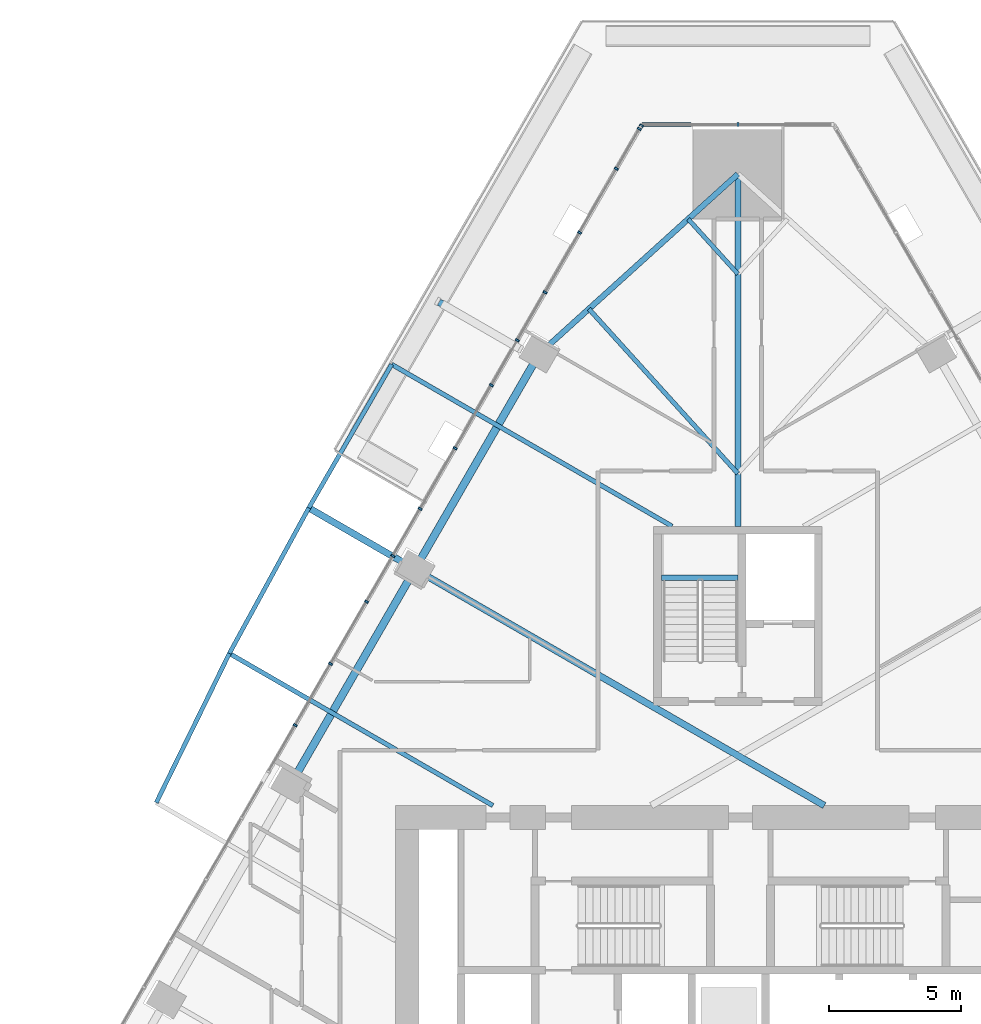
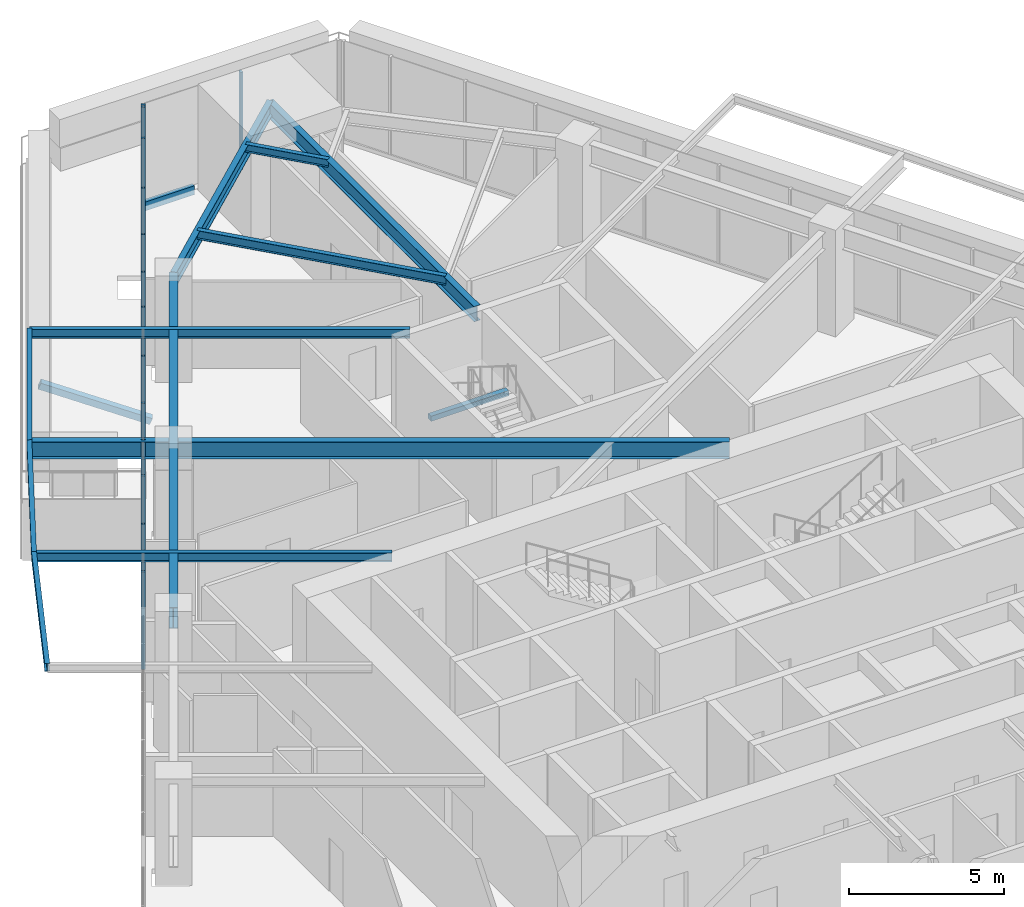
# One storey, part 8 of 29: 16 members, 12 beams, 2 elements without a shape of their own.
"""IFC4 building model written with IfcOpenShell, lengths in metres."""

from ifc_helpers import new_model, si_unit, direction, frame, origin, origin_2d, place, context, subcontext, project, spatial, rectangle, hollow_rectangle, i_section, extrude, material, layer, layer_set, material_profile, profile_set, type_object, element, aggregate, save


model = new_model("IFC4")

# Units and contexts
model_context = context("Model", 3, precision=1e-05, world=origin(), true_north=direction((0.0, 1.0)))
body_context = subcontext(model_context, "Body", "Model", "MODEL_VIEW")
ifc_project = project(units=[si_unit("LENGTHUNIT", "METRE"), si_unit("AREAUNIT", "SQUARE_METRE"), si_unit("VOLUMEUNIT", "CUBIC_METRE"), si_unit("PLANEANGLEUNIT", "RADIAN"), si_unit("MASSUNIT", "GRAM", prefix="KILO")], contexts=[model_context])

# Site, building, storey
site_placement = place(None, origin())
site = spatial("IfcSite", under=ifc_project, at=site_placement, CompositionType="ELEMENT")
building_placement = place(site_placement, origin())
building = spatial("IfcBuilding", under=site, at=building_placement, Name="Firuza Gate Tower and Library", CompositionType="ELEMENT")
storey_placement = place(building_placement, frame((0.0, 0.0, 82.0)))
storey = spatial("IfcBuildingStorey", under=building, at=storey_placement, Name="L18", CompositionType="ELEMENT", Elevation=82.0)

# Curtain wall, member
ifc_material_1 = material(Name="Aluminium 6063-T6", Category="aluminium")
ifc_layer_1 = layer(ifc_material_1, 0.14990234375)
ifc_layer_set_1 = layer_set([ifc_layer_1], Name="Corner curtain wall, chamfers")
curtain_wall_type_1 = type_object("IfcCurtainWallType", Name="Corner curtain wall, chamfers", PredefinedType="NOTDEFINED", material=ifc_layer_set_1)
placement = place(storey_placement, origin())
curtain_wall_1 = element("IfcCurtainWall", 1, at=placement, inside=storey, type_object=curtain_wall_type_1, Name="CW4 L18 N corner", PredefinedType="NOTDEFINED")
ifc_material_2 = material(Name="Aluminium 6063-T6", Category="aluminium")
ifc_material_profile_1 = material_profile(ifc_material_2, rectangle(XDim=0.14990234375, YDim=0.080078125, at=origin_2d()))
ifc_profile_set_1 = profile_set([ifc_material_profile_1], Name="Aluminium 6063-T6")
member_type_1 = type_object("IfcMemberType", Name="Curtain wall mullion 80x150", PredefinedType="MULLION", material=ifc_profile_set_1)
member_1_placement = place(storey_placement, frame((75.0, 109.84130859375, 0.14990234375), z_axis=(0.0, 0.0, 1.0), x_axis=(0.0, -1.0, 0.0)))
member_1 = element("IfcMember", 2, at=member_1_placement, type_object=member_type_1, Name="Mullion", PredefinedType="MULLION", context=body_context, shape_type="SweptSolid", body=[
    extrude(rectangle(XDim=0.14990234375, YDim=0.080078125, at=origin_2d()), origin(), (0.0, 0.0, 1.0), 3.85009765625),
])

# Curtain wall, members
ifc_material_3 = material(Name="Aluminium 6063-T6", Category="aluminium")
ifc_layer_2 = layer(ifc_material_3, 0.14990234375)
ifc_layer_set_2 = layer_set([ifc_layer_2], Name="Unitised curtain wall, offices")
curtain_wall_type_2 = type_object("IfcCurtainWallType", Name="Unitised curtain wall, offices", PredefinedType="NOTDEFINED", material=ifc_layer_set_2)
curtain_wall_2 = element("IfcCurtainWall", 3, at=placement, inside=storey, type_object=curtain_wall_type_2, Name="CW1 L18 W face", PredefinedType="NOTDEFINED")
member_2_placement = place(storey_placement, frame((71.336669921875, 109.806640625, 0.14990234375), z_axis=(0.0, 0.0, 1.0), x_axis=(0.866025403784, -0.5, 0.0)))
member_2 = element("IfcMember", 4, at=member_2_placement, type_object=member_type_1, Name="Mullion", PredefinedType="MULLION", context=body_context, shape_type="SweptSolid", body=[
    extrude(rectangle(XDim=0.14990234375, YDim=0.080078125, at=origin_2d()), origin(), (0.0, 0.0, 1.0), 3.85009765625),
])
member_3_placement = place(storey_placement, frame((68.994140625, 105.7490234375, 0.14990234375), z_axis=(0.0, 0.0, 1.0), x_axis=(0.866025403784, -0.5, 0.0)))
member_3 = element("IfcMember", 5, at=member_3_placement, type_object=member_type_1, Name="Mullion", PredefinedType="MULLION", context=body_context, shape_type="SweptSolid", body=[
    extrude(rectangle(XDim=0.14990234375, YDim=0.080078125, at=origin_2d()), origin(), (0.0, 0.0, 1.0), 3.85009765625),
])
member_4_placement = place(storey_placement, frame((66.63134765625, 101.65673828125, 0.14990234375), z_axis=(0.0, 0.0, 1.0), x_axis=(0.866025403784, -0.5, 0.0)))
member_4 = element("IfcMember", 6, at=member_4_placement, type_object=member_type_1, Name="Mullion", PredefinedType="MULLION", context=body_context, shape_type="SweptSolid", body=[
    extrude(rectangle(XDim=0.14990234375, YDim=0.080078125, at=origin_2d()), origin(), (0.0, 0.0, 1.0), 3.85009765625),
])
member_5_placement = place(storey_placement, frame((64.268798828125, 97.564453125, 0.14990234375), z_axis=(0.0, 0.0, 1.0), x_axis=(0.866025403784, -0.5, 0.0)))
member_5 = element("IfcMember", 7, at=member_5_placement, type_object=member_type_1, Name="Mullion", PredefinedType="MULLION", context=body_context, shape_type="SweptSolid", body=[
    extrude(rectangle(XDim=0.14990234375, YDim=0.080078125, at=origin_2d()), origin(), (0.0, 0.0, 1.0), 3.85009765625),
])
member_6_placement = place(storey_placement, frame((61.906005859375, 93.472412109375, 0.14990234375), z_axis=(0.0, 0.0, 1.0), x_axis=(0.866025403784, -0.5, 0.0)))
member_6 = element("IfcMember", 8, at=member_6_placement, type_object=member_type_1, Name="Mullion", PredefinedType="MULLION", context=body_context, shape_type="SweptSolid", body=[
    extrude(rectangle(XDim=0.14990234375, YDim=0.080078125, at=origin_2d()), origin(), (0.0, 0.0, 1.0), 3.85009765625),
])
member_7_placement = place(storey_placement, frame((59.54345703125, 89.380126953125, 0.14990234375), z_axis=(0.0, 0.0, 1.0), x_axis=(0.866025403784, -0.5, 0.0)))
member_7 = element("IfcMember", 9, at=member_7_placement, type_object=member_type_1, Name="Mullion", PredefinedType="MULLION", context=body_context, shape_type="SweptSolid", body=[
    extrude(rectangle(XDim=0.14990234375, YDim=0.080078125, at=origin_2d()), origin(), (0.0, 0.0, 1.0), 3.85009765625),
])
member_8_placement = place(storey_placement, frame((71.264892578125, 109.68212890625, 0.14990234375), z_axis=(0.0, 0.0, 1.0), x_axis=(0.866025403784, -0.5, 0.0)))
member_8 = element("IfcMember", 10, at=member_8_placement, type_object=member_type_1, Name="Mullion", PredefinedType="MULLION", context=body_context, shape_type="SweptSolid", body=[
    extrude(rectangle(XDim=0.14990234375, YDim=0.080078125, at=origin_2d()), origin(), (0.0, 0.0, 1.0), 3.85009765625),
])
member_9_placement = place(storey_placement, frame((70.39013671875, 108.1669921875, 0.14990234375), z_axis=(0.0, 0.0, 1.0), x_axis=(0.866025403784, -0.5, 0.0)))
member_9 = element("IfcMember", 11, at=member_9_placement, type_object=member_type_1, Name="Mullion", PredefinedType="MULLION", context=body_context, shape_type="SweptSolid", body=[
    extrude(rectangle(XDim=0.14990234375, YDim=0.080078125, at=origin_2d()), origin(), (0.0, 0.0, 1.0), 3.85009765625),
])
member_10_placement = place(storey_placement, frame((67.684814453125, 103.481201171875, 0.14990234375), z_axis=(0.0, 0.0, 1.0), x_axis=(0.866025403784, -0.5, 0.0)))
member_10 = element("IfcMember", 12, at=member_10_placement, type_object=member_type_1, Name="Mullion", PredefinedType="MULLION", context=body_context, shape_type="SweptSolid", body=[
    extrude(rectangle(XDim=0.14990234375, YDim=0.080078125, at=origin_2d()), origin(), (0.0, 0.0, 1.0), 3.85009765625),
])
member_11_placement = place(storey_placement, frame((65.6474609375, 99.95263671875, 0.14990234375), z_axis=(0.0, 0.0, 1.0), x_axis=(0.866025403784, -0.5, 0.0)))
member_11 = element("IfcMember", 13, at=member_11_placement, type_object=member_type_1, Name="Mullion", PredefinedType="MULLION", context=body_context, shape_type="SweptSolid", body=[
    extrude(rectangle(XDim=0.14990234375, YDim=0.080078125, at=origin_2d()), origin(), (0.0, 0.0, 1.0), 3.85009765625),
])
member_12_placement = place(storey_placement, frame((62.942138671875, 95.266845703125, 0.14990234375), z_axis=(0.0, 0.0, 1.0), x_axis=(0.866025403784, -0.5, 0.0)))
member_12 = element("IfcMember", 14, at=member_12_placement, type_object=member_type_1, Name="Mullion", PredefinedType="MULLION", context=body_context, shape_type="SweptSolid", body=[
    extrude(rectangle(XDim=0.14990234375, YDim=0.080078125, at=origin_2d()), origin(), (0.0, 0.0, 1.0), 3.85009765625),
])
member_13_placement = place(storey_placement, frame((60.90478515625, 91.738037109375, 0.14990234375), z_axis=(0.0, 0.0, 1.0), x_axis=(0.866025403784, -0.5, 0.0)))
member_13 = element("IfcMember", 15, at=member_13_placement, type_object=member_type_1, Name="Mullion", PredefinedType="MULLION", context=body_context, shape_type="SweptSolid", body=[
    extrude(rectangle(XDim=0.14990234375, YDim=0.080078125, at=origin_2d()), origin(), (0.0, 0.0, 1.0), 3.85009765625),
])
member_14_placement = place(storey_placement, frame((58.199462890625, 87.05224609375, 0.14990234375), z_axis=(0.0, 0.0, 1.0), x_axis=(0.866025403784, -0.5, 0.0)))
member_14 = element("IfcMember", 16, at=member_14_placement, type_object=member_type_1, Name="Mullion", PredefinedType="MULLION", context=body_context, shape_type="SweptSolid", body=[
    extrude(rectangle(XDim=0.14990234375, YDim=0.080078125, at=origin_2d()), origin(), (0.0, 0.0, 1.0), 3.85009765625),
])
aggregate(curtain_wall_2, [member_2, member_3, member_4, member_5, member_6, member_7, member_8, member_9, member_10, member_11, member_12, member_13, member_14])

# Member
ifc_material_4 = material(Name="Aluminium 6063-T6", Category="aluminium")
ifc_material_profile_2 = material_profile(ifc_material_4, rectangle(XDim=0.14990234375, YDim=0.35009765625, at=origin_2d()))
ifc_profile_set_2 = profile_set([ifc_material_profile_2], Name="Aluminium 6063-T6")
member_type_2 = type_object("IfcMemberType", Name="Curtain wall transom 350x150", PredefinedType="USERDEFINED", material=ifc_profile_set_2)
member_15_placement = place(storey_placement, frame((73.22021484375, 109.84130859375, -0.02490234375), z_axis=(-1.0, 0.0, 0.0), x_axis=(0.0, -1.0, 0.0)))
member_15 = element("IfcMember", 17, at=member_15_placement, type_object=member_type_2, Name="Transom", ObjectType="TRANSOM", PredefinedType="USERDEFINED", context=body_context, shape_type="SweptSolid", body=[
    extrude(rectangle(XDim=0.14990234375, YDim=0.35009765625, at=origin_2d()), origin(), (0.0, 0.0, 1.0), 1.863525390625),
])

aggregate(curtain_wall_1, [member_1, member_15])

ifc_material_5 = material(Name="Steel S355", Category="steel")
ifc_material_profile_3 = material_profile(ifc_material_5, hollow_rectangle(XDim=0.25390625, YDim=0.25390625, WallThickness=0.01171875, at=origin_2d()))
ifc_profile_set_3 = profile_set([ifc_material_profile_3], Name="Steel S355")
member_type_3 = type_object("IfcMemberType", Name="HSS254x254x13 Tray strut", PredefinedType="BRACE", material=ifc_profile_set_3)
member_16_placement = place(storey_placement, frame((66.73681640625, 101.32958984375, -1.669921875), z_axis=(-0.807140949077, 0.466018027999, 0.362423351763), x_axis=(-0.500012057535, -0.866018442252, 0.0)))
element("IfcMember", 18, at=member_16_placement, inside=storey, type_object=member_type_3, Name="Tray strut L18 col:L17:W1", PredefinedType="BRACE", context=body_context, shape_type="SweptSolid", body=[
    extrude(hollow_rectangle(XDim=0.25390625, YDim=0.25390625, WallThickness=0.01171875, at=origin_2d()), origin(), (0.0, 0.0, 1.0), 3.862548828125),
])

# Beams
ifc_material_6 = material(Name="Concrete C35/45", Category="concrete")
ifc_material_profile_4 = material_profile(ifc_material_6, rectangle(XDim=0.199951171875, YDim=0.199951171875, at=origin_2d()))
ifc_profile_set_4 = profile_set([ifc_material_profile_4], Name="Concrete C35/45")
beam_type_1 = type_object("IfcBeamType", Name="Stair landing bearer 200x200", PredefinedType="BEAM", material=ifc_profile_set_4)
beam_1_placement = place(storey_placement, frame((75.0, 92.64990234375, 1.800048828125), z_axis=(-1.0, 0.0, 0.0), x_axis=(0.0, -1.0, 0.0)))
element("IfcBeam", 19, at=beam_1_placement, inside=storey, type_object=beam_type_1, Name="Landing bearer L18 stair 3", PredefinedType="BEAM", context=body_context, shape_type="SweptSolid", body=[
    extrude(rectangle(XDim=0.199951171875, YDim=0.199951171875, at=origin_2d()), origin(), (0.0, 0.0, 1.0), 2.89990234375),
])
ifc_material_7 = material(Name="Steel S355", Category="steel")
ifc_material_profile_5 = material_profile(ifc_material_7, i_section(OverallWidth=0.1650390625, OverallDepth=0.31005859375, WebThickness=0.005859375, FlangeThickness=0.009765625, at=origin_2d()))
ifc_profile_set_5 = profile_set([ifc_material_profile_5], Name="Steel S355")
beam_type_2 = type_object("IfcBeamType", Name="W310x39 Floor beam", PredefinedType="JOIST", material=ifc_profile_set_5)
beam_2_placement = place(storey_placement, frame((73.115234375, 106.2607421875, 3.844970703125), z_axis=(0.670983871645, -0.741471944171, 0.0), x_axis=(0.741471944171, 0.670983871645, 0.0)))
element("IfcBeam", 20, at=beam_2_placement, inside=storey, type_object=beam_type_2, Name="Floor beam L18 s70", PredefinedType="JOIST", context=body_context, shape_type="SweptSolid", body=[
    extrude(i_section(OverallWidth=0.1650390625, OverallDepth=0.31005859375, WebThickness=0.005859375, FlangeThickness=0.009765625, at=origin_2d()), origin(), (0.0, 0.0, 1.0), 2.808837890625),
])
beam_3_placement = place(storey_placement, frame((61.861572265625, 100.745361328125, 3.844970703125), z_axis=(-0.49998337224, -0.866035003613, 0.0), x_axis=(0.866035003613, -0.49998337224, 0.0)))
element("IfcBeam", 21, at=beam_3_placement, inside=storey, type_object=beam_type_2, Name="Tray edge beam L18 s80-s81", PredefinedType="JOIST", context=body_context, shape_type="SweptSolid", body=[
    extrude(i_section(OverallWidth=0.1650390625, OverallDepth=0.31005859375, WebThickness=0.005859375, FlangeThickness=0.009765625, at=origin_2d()), origin(), (0.0, 0.0, 1.0), 6.290771484375),
])
beam_4_placement = place(storey_placement, frame((58.71630859375, 95.29736328125, 3.844970703125), z_axis=(-0.479110348112, -0.877754677762, 0.0), x_axis=(0.877754677762, -0.479110348112, 0.0)))
element("IfcBeam", 22, at=beam_4_placement, inside=storey, type_object=beam_type_2, Name="Tray edge beam L18 s81-s82", PredefinedType="JOIST", context=body_context, shape_type="SweptSolid", body=[
    extrude(i_section(OverallWidth=0.1650390625, OverallDepth=0.31005859375, WebThickness=0.005859375, FlangeThickness=0.009765625, at=origin_2d()), origin(), (0.0, 0.0, 1.0), 6.292724609375),
])
beam_5_placement = place(storey_placement, frame((55.701416015625, 89.77392578125, 3.844970703125), z_axis=(-0.439935002464, -0.898029617333, 0.0), x_axis=(0.898029617333, -0.439935002464, 0.0)))
element("IfcBeam", 23, at=beam_5_placement, inside=storey, type_object=beam_type_2, Name="Tray edge beam L18 s82-s83", PredefinedType="JOIST", context=body_context, shape_type="SweptSolid", body=[
    extrude(i_section(OverallWidth=0.1650390625, OverallDepth=0.31005859375, WebThickness=0.005859375, FlangeThickness=0.009765625, at=origin_2d()), origin(), (0.0, 0.0, 1.0), 6.305419921875),
])
ifc_material_8 = material(Name="Steel S355", Category="steel")
ifc_material_profile_6 = material_profile(ifc_material_8, i_section(OverallWidth=0.1708984375, OverallDepth=0.35498046875, WebThickness=0.007080078125, FlangeThickness=0.01171875, at=origin_2d()))
ifc_profile_set_6 = profile_set([ifc_material_profile_6], Name="Steel S355")
beam_type_3 = type_object("IfcBeamType", Name="W360x51 Floor beam", PredefinedType="JOIST", material=ifc_profile_set_6)
beam_6_placement = place(storey_placement, frame((69.345947265625, 102.849853515625, 3.822509765625), z_axis=(0.670982357379, -0.74147331448, 0.0), x_axis=(0.74147331448, 0.670982357379, 0.0)))
element("IfcBeam", 24, at=beam_6_placement, inside=storey, type_object=beam_type_3, Name="Floor beam L18 s71", PredefinedType="JOIST", context=body_context, shape_type="SweptSolid", body=[
    extrude(i_section(OverallWidth=0.1708984375, OverallDepth=0.35498046875, WebThickness=0.007080078125, FlangeThickness=0.01171875, at=origin_2d()), origin(), (0.0, 0.0, 1.0), 8.426513671875),
])
beam_7_placement = place(storey_placement, frame((61.861572265625, 100.745361328125, 3.822509765625), z_axis=(0.866028130707, -0.499995276802, 0.0), x_axis=(0.499995276802, 0.866028130707, 0.0)))
element("IfcBeam", 25, at=beam_7_placement, inside=storey, type_object=beam_type_3, Name="Floor beam L18 s80", PredefinedType="JOIST", context=body_context, shape_type="SweptSolid", body=[
    extrude(i_section(OverallWidth=0.1708984375, OverallDepth=0.35498046875, WebThickness=0.007080078125, FlangeThickness=0.01171875, at=origin_2d()), origin(), (0.0, 0.0, 1.0), 12.29052734375),
])
beam_8_placement = place(storey_placement, frame((55.701416015625, 89.77392578125, 3.822509765625), z_axis=(0.866030680601, -0.499990860175, 0.0), x_axis=(0.499990860175, 0.866030680601, 0.0)))
element("IfcBeam", 26, at=beam_8_placement, inside=storey, type_object=beam_type_3, Name="Floor beam L18 s82", PredefinedType="JOIST", context=body_context, shape_type="SweptSolid", body=[
    extrude(i_section(OverallWidth=0.1708984375, OverallDepth=0.35498046875, WebThickness=0.007080078125, FlangeThickness=0.01171875, at=origin_2d()), origin(), (0.0, 0.0, 1.0), 11.548095703125),
])
ifc_material_9 = material(Name="Steel S355", Category="steel")
ifc_material_profile_7 = material_profile(ifc_material_9, i_section(OverallWidth=0.212890625, OverallDepth=0.5390625, WebThickness=0.01171875, FlangeThickness=0.018798828125, at=origin_2d()))
ifc_profile_set_7 = profile_set([ifc_material_profile_7], Name="Steel S355")
beam_type_4 = type_object("IfcBeamType", Name="W530x109 Edge beam", PredefinedType="SPANDREL", material=ifc_profile_set_7)
beam_9_placement = place(storey_placement, frame((75.0, 107.96630859375, 3.73046875), z_axis=(-0.741466940551, -0.670989400862, 0.0), x_axis=(0.670989400862, -0.741466940551, 0.0)))
element("IfcBeam", 27, at=beam_9_placement, inside=storey, type_object=beam_type_4, Name="Edge beam L18 e70", PredefinedType="SPANDREL", context=body_context, shape_type="SweptSolid", body=[
    extrude(i_section(OverallWidth=0.212890625, OverallDepth=0.5390625, WebThickness=0.01171875, FlangeThickness=0.018798828125, at=origin_2d()), origin(), (0.0, 0.0, 1.0), 10.1669921875),
])
ifc_material_10 = material(Name="Steel S355", Category="steel")
ifc_material_profile_8 = material_profile(ifc_material_10, i_section(OverallWidth=0.22802734375, OverallDepth=0.60302734375, WebThickness=0.010498046875, FlangeThickness=0.014892578125, at=origin_2d()))
ifc_profile_set_8 = profile_set([ifc_material_profile_8], Name="Steel S355")
beam_type_5 = type_object("IfcBeamType", Name="W610x101 Girder", PredefinedType="BEAM", material=ifc_profile_set_8)
beam_10_placement = place(storey_placement, frame((75.0, 107.96630859375, 3.698486328125), z_axis=(0.0, -1.0, 0.0), x_axis=(1.0, 0.0, 0.0)))
element("IfcBeam", 28, at=beam_10_placement, inside=storey, type_object=beam_type_5, Name="Girder L18 gN", PredefinedType="BEAM", context=body_context, shape_type="SweptSolid", body=[
    extrude(i_section(OverallWidth=0.22802734375, OverallDepth=0.60302734375, WebThickness=0.010498046875, FlangeThickness=0.014892578125, at=origin_2d()), origin(), (0.0, 0.0, 1.0), 13.3662109375),
])
ifc_material_11 = material(Name="Steel S355", Category="steel")
ifc_material_profile_9 = material_profile(ifc_material_11, i_section(OverallWidth=0.2529296875, OverallDepth=0.677978515625, WebThickness=0.01171875, FlangeThickness=0.016357421875, at=origin_2d()))
ifc_profile_set_9 = profile_set([ifc_material_profile_9], Name="Steel S355")
beam_type_6 = type_object("IfcBeamType", Name="W690x125 Floor beam", PredefinedType="JOIST", material=ifc_profile_set_9)
beam_11_placement = place(storey_placement, frame((58.71630859375, 95.29736328125, 3.660888671875), z_axis=(0.866025622402, -0.499999621343, 0.0), x_axis=(0.499999621343, 0.866025622402, 0.0)))
element("IfcBeam", 29, at=beam_11_placement, inside=storey, type_object=beam_type_6, Name="Floor beam L18 s81", PredefinedType="JOIST", context=body_context, shape_type="SweptSolid", body=[
    extrude(i_section(OverallWidth=0.2529296875, OverallDepth=0.677978515625, WebThickness=0.01171875, FlangeThickness=0.016357421875, at=origin_2d()), origin(), (0.0, 0.0, 1.0), 22.5947265625),
])
ifc_material_12 = material(Name="Steel S355", Category="steel")
ifc_material_profile_10 = material_profile(ifc_material_12, i_section(OverallWidth=0.2919921875, OverallDepth=0.8349609375, WebThickness=0.013916015625, FlangeThickness=0.018798828125, at=origin_2d()))
ifc_profile_set_10 = profile_set([ifc_material_profile_10], Name="Steel S355")
beam_type_7 = type_object("IfcBeamType", Name="W840x176 Edge beam", PredefinedType="SPANDREL", material=ifc_profile_set_10)
beam_12_placement = place(storey_placement, frame((67.46142578125, 101.144287109375, 3.58251953125), z_axis=(-0.500002777067, -0.866023800438, 0.0), x_axis=(0.866023800438, -0.500002777067, 0.0)))
element("IfcBeam", 30, at=beam_12_placement, inside=storey, type_object=beam_type_7, Name="Edge beam L18 e80", PredefinedType="SPANDREL", context=body_context, shape_type="SweptSolid", body=[
    extrude(i_section(OverallWidth=0.2919921875, OverallDepth=0.8349609375, WebThickness=0.013916015625, FlangeThickness=0.018798828125, at=origin_2d()), origin(), (0.0, 0.0, 1.0), 18.87255859375),
])

save(model, "model.ifc")
